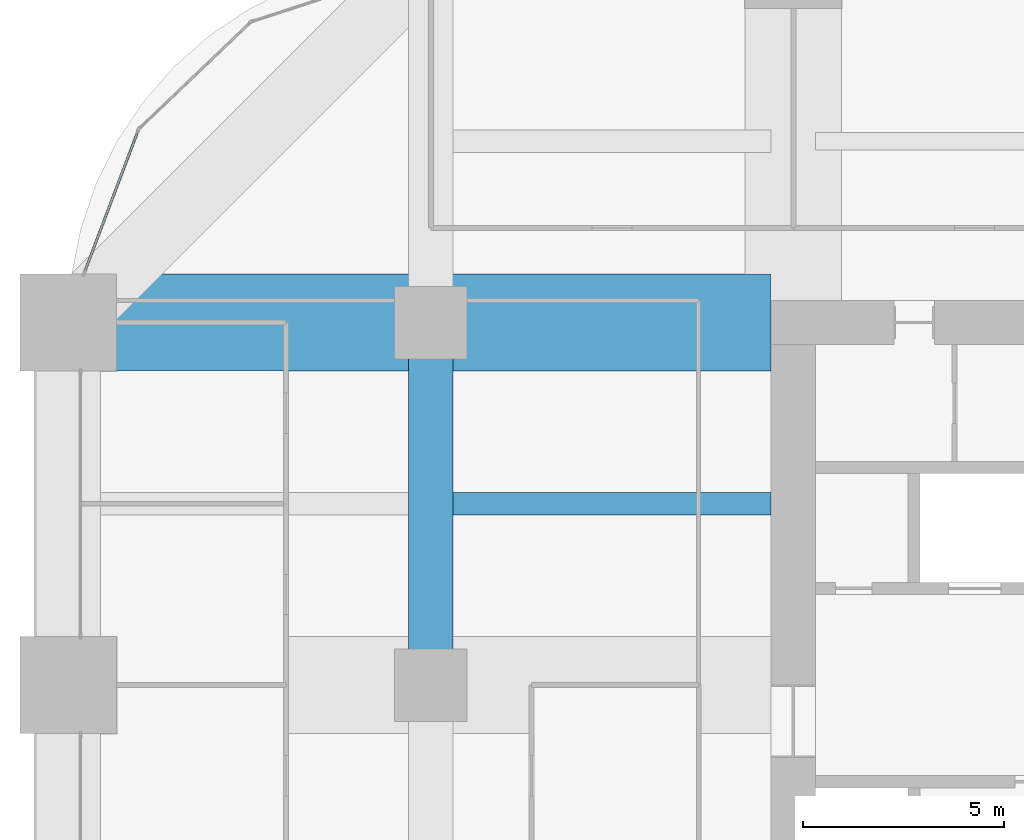
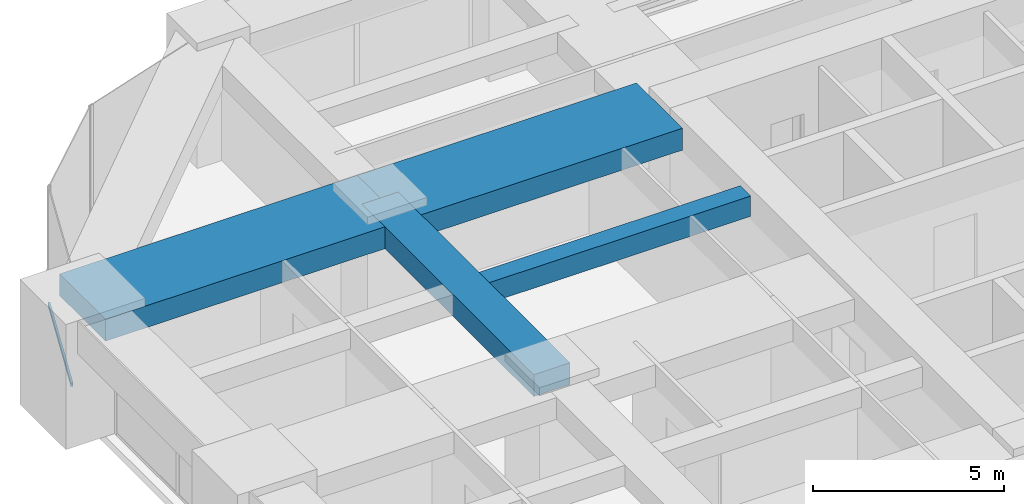
# One storey, part 25 of 43: 4 beams, 1 member, 1 element without a shape of its own.
"""IFC4 building model written with IfcOpenShell, lengths in metres."""

from ifc_helpers import new_model, si_unit, direction, frame, origin, origin_2d, place, context, subcontext, project, spatial, rectangle, hollow_rectangle, extrude, material, material_profile, profile_set, type_object, element, aggregate, save


model = new_model("IFC4")

# Units and contexts
model_context = context("Model", 3, precision=1e-05, world=origin(), true_north=direction((0.0, 1.0)))
body_context = subcontext(model_context, "Body", "Model", "MODEL_VIEW")
ifc_project = project(units=[si_unit("LENGTHUNIT", "METRE"), si_unit("AREAUNIT", "SQUARE_METRE"), si_unit("VOLUMEUNIT", "CUBIC_METRE"), si_unit("PLANEANGLEUNIT", "RADIAN"), si_unit("MASSUNIT", "GRAM", prefix="KILO")], contexts=[model_context])

# Site, building, storey
site_placement = place(None, origin())
site = spatial("IfcSite", under=ifc_project, at=site_placement, CompositionType="ELEMENT")
building_placement = place(site_placement, origin())
building = spatial("IfcBuilding", under=site, at=building_placement, Name="Zorevar Civic Tower", CompositionType="ELEMENT")
storey_placement = place(building_placement, frame((0.0, 0.0, 141.0)))
storey = spatial("IfcBuildingStorey", under=building, at=storey_placement, Name="L34", CompositionType="ELEMENT", Elevation=141.0)

# Beams
ifc_material_1 = material(Name="Concrete C50/60", Category="concrete")
ifc_material_profile_1 = material_profile(ifc_material_1, rectangle(XDim=1.10009765625, YDim=0.699951171875, at=origin_2d()), Name="RC 1100x700")
ifc_profile_set_1 = profile_set([ifc_material_profile_1], Name="Concrete C50/60")
beam_type_1 = type_object("IfcBeamType", Name="Beam RC 1100x700", PredefinedType="BEAM", material=ifc_profile_set_1)
beam_1_placement = place(storey_placement, frame((9.0, 27.0, 3.39990234375), z_axis=(0.0, 1.0, 0.0), x_axis=(-1.0, 0.0, 0.0)))
element("IfcBeam", 1, at=beam_1_placement, inside=storey, type_object=beam_type_1, Name="Girder L35", PredefinedType="BEAM", context=body_context, shape_type="SweptSolid", body=[
    extrude(rectangle(XDim=1.10009765625, YDim=0.699951171875, at=origin_2d()), origin(), (0.0, 0.0, 1.0), 9.0),
])
ifc_material_2 = material(Name="Concrete C50/60", Category="concrete")
ifc_material_profile_2 = material_profile(ifc_material_2, rectangle(XDim=2.39990234375, YDim=0.699951171875, at=origin_2d()), Name="RC 2400x700")
ifc_profile_set_2 = profile_set([ifc_material_profile_2], Name="Concrete C50/60")
beam_type_2 = type_object("IfcBeamType", Name="Beam RC 2400x700", PredefinedType="BEAM", material=ifc_profile_set_2)
beam_2_placement = place(storey_placement, frame((0.0, 36.0, 3.39990234375), z_axis=(1.0, 0.0, 0.0), x_axis=(0.0, 1.0, 0.0)))
element("IfcBeam", 2, at=beam_2_placement, inside=storey, type_object=beam_type_2, Name="Girder L35", PredefinedType="BEAM", context=body_context, shape_type="SweptSolid", body=[
    extrude(rectangle(XDim=2.39990234375, YDim=0.699951171875, at=origin_2d()), origin(), (0.0, 0.0, 1.0), 9.0),
])
beam_3_placement = place(storey_placement, frame((9.0, 36.0, 3.39990234375), z_axis=(1.0, 0.0, 0.0), x_axis=(0.0, 1.0, 0.0)))
element("IfcBeam", 3, at=beam_3_placement, inside=storey, type_object=beam_type_2, Name="Girder L35", PredefinedType="BEAM", context=body_context, shape_type="SweptSolid", body=[
    extrude(rectangle(XDim=2.39990234375, YDim=0.699951171875, at=origin_2d()), origin(), (0.0, 0.0, 1.0), 8.449951171875),
])
ifc_material_3 = material(Name="Concrete C50/60", Category="concrete")
ifc_material_profile_3 = material_profile(ifc_material_3, rectangle(XDim=0.550048828125, YDim=0.64990234375, at=origin_2d()), Name="RC 550x650")
ifc_profile_set_3 = profile_set([ifc_material_profile_3], Name="Concrete C50/60")
beam_type_3 = type_object("IfcBeamType", Name="Beam RC 550x650", PredefinedType="BEAM", material=ifc_profile_set_3)
beam_4_placement = place(storey_placement, frame((9.550048828125, 31.5, 3.425048828125), z_axis=(1.0, 0.0, 0.0), x_axis=(0.0, 1.0, 0.0)))
element("IfcBeam", 4, at=beam_4_placement, inside=storey, type_object=beam_type_3, Name="Secondary beam L35", PredefinedType="BEAM", context=body_context, shape_type="SweptSolid", body=[
    extrude(rectangle(XDim=0.550048828125, YDim=0.64990234375, at=origin_2d()), origin(), (0.0, 0.0, 1.0), 7.89990234375),
])

# Curtain wall, member
ifc_material_4 = material(Name="Dark grey solar-control glass in black aluminium frame", Category="aluminium")
curtain_wall_type = type_object("IfcCurtainWallType", Name="Curtain wall CW3 mid zone", PredefinedType="NOTDEFINED", material=ifc_material_4)
curtain_wall_placement = place(storey_placement, origin())
curtain_wall = element("IfcCurtainWall", 5, at=curtain_wall_placement, inside=storey, type_object=curtain_wall_type, Name="CW3 L34", PredefinedType="NOTDEFINED")
ifc_material_5 = material(Name="Aluminium, black anodised", Category="aluminium")
ifc_material_profile_4 = material_profile(ifc_material_5, hollow_rectangle(XDim=0.06005859375, YDim=0.1201171875, WallThickness=0.0029296875, at=origin_2d()), Name="AL 120x60x3")
ifc_profile_set_4 = profile_set([ifc_material_profile_4], Name="Aluminium, black anodised")
member_type = type_object("IfcMemberType", Name="CW3 transom AL 120x60x3", PredefinedType="USERDEFINED", material=ifc_profile_set_4)
member_placement = place(storey_placement, frame((1.726318359375, 40.7490234375, 0.030029296875), z_axis=(-0.353923007857, -0.93527456103, 0.0), x_axis=(0.93527456103, -0.353923007857, 0.0)))
member = element("IfcMember", 6, at=member_placement, type_object=member_type, Name="CW3 sill transom", ObjectType="TRANSOM", PredefinedType="USERDEFINED", context=body_context, shape_type="SweptSolid", body=[
    extrude(hollow_rectangle(XDim=0.06005859375, YDim=0.1201171875, WallThickness=0.0029296875, at=origin_2d()), origin(), (0.0, 0.0, 1.0), 3.734619140625),
])
aggregate(curtain_wall, [member])

save(model, "model.ifc")
